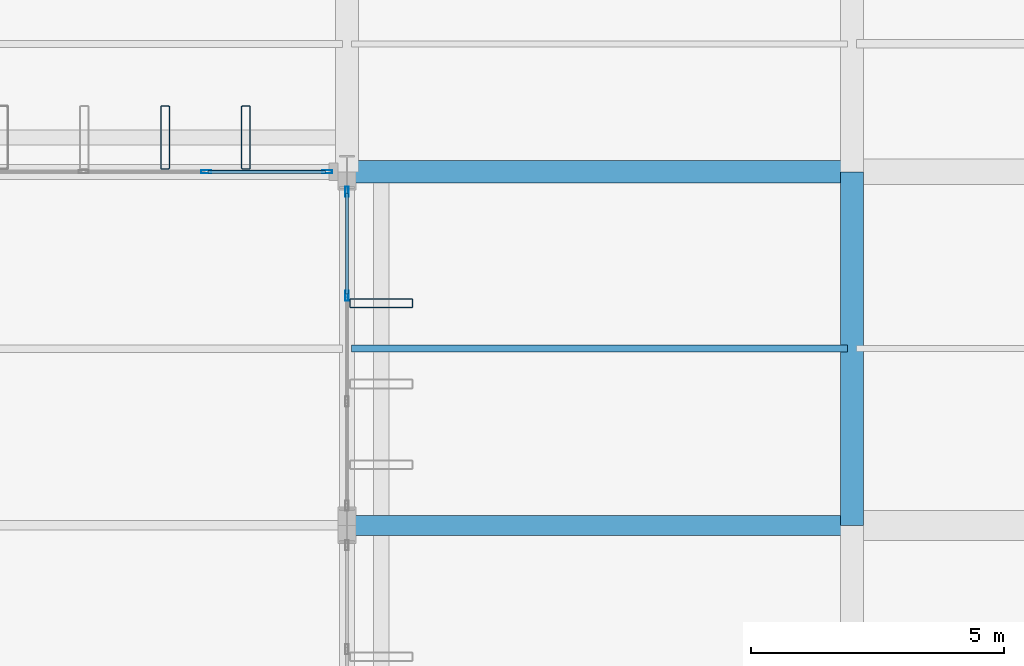
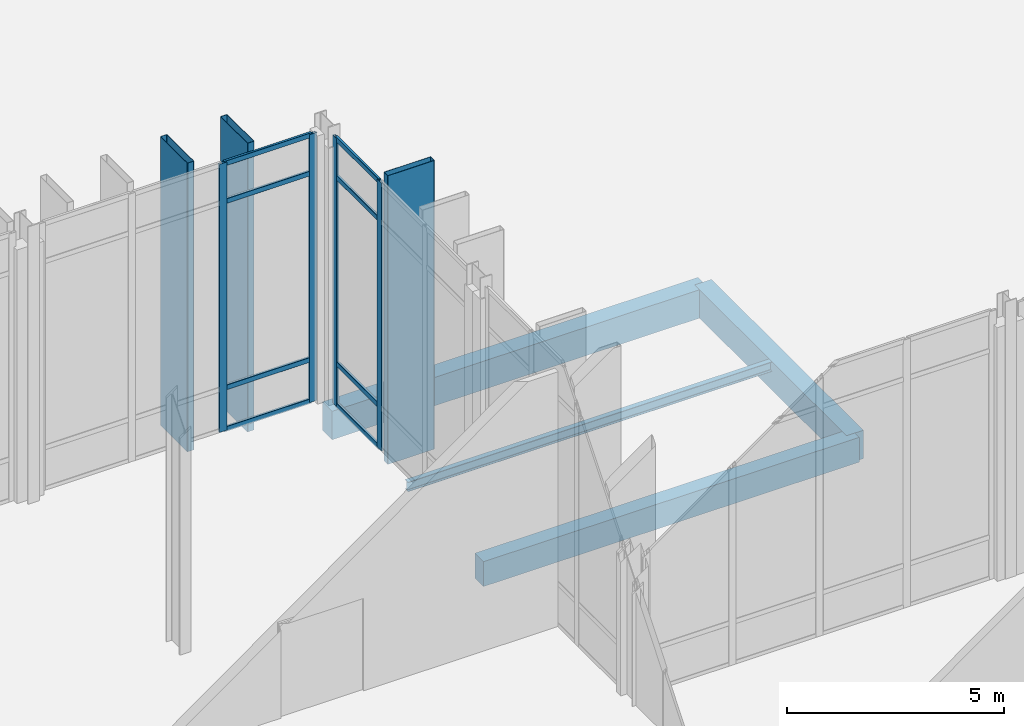
# One storey, part 104 of 176: 15 members, 4 beams, 2 elements without a shape of their own.
"""IFC4 building model written with IfcOpenShell, lengths in metres."""

from ifc_helpers import new_model, si_unit, direction, frame, origin, origin_2d, place, context, subcontext, project, spatial, rectangle, hollow_rectangle, i_section, extrude, material, layer, layer_set, material_profile, profile_set, type_object, element, aggregate, save


model = new_model("IFC4")

# Units and contexts
model_context = context("Model", 3, precision=1e-05, world=origin(), true_north=direction((0.0, 1.0)))
body_context = subcontext(model_context, "Body", "Model", "MODEL_VIEW")
ifc_project = project(units=[si_unit("LENGTHUNIT", "METRE"), si_unit("AREAUNIT", "SQUARE_METRE"), si_unit("VOLUMEUNIT", "CUBIC_METRE"), si_unit("PLANEANGLEUNIT", "RADIAN"), si_unit("MASSUNIT", "GRAM", prefix="KILO")], contexts=[model_context])

# Site, building, storey
site_placement = place(None, origin())
site = spatial("IfcSite", under=ifc_project, at=site_placement, CompositionType="ELEMENT")
building_placement = place(site_placement, origin())
building = spatial("IfcBuilding", under=site, at=building_placement, Name="Vekula Escarpment Museum", CompositionType="ELEMENT")
storey_placement = place(building_placement, origin())
storey = spatial("IfcBuildingStorey", under=building, at=storey_placement, Name="L01", CompositionType="ELEMENT", Elevation=0.0)

# Beams
ifc_material_1 = material(Name="Steel S355", Category="steel")
ifc_material_profile_1 = material_profile(ifc_material_1, i_section(OverallWidth=0.135009765625, OverallDepth=0.27001953125, WebThickness=0.006591796875, FlangeThickness=0.01025390625, FilletRadius=0.014892578125, at=origin_2d()), Name="IPE 270")
ifc_profile_set_1 = profile_set([ifc_material_profile_1], Name="Steel S355")
beam_type_1 = type_object("IfcBeamType", Name="BM-JST-IPE270", PredefinedType="JOIST", material=ifc_profile_set_1)
beam_1_placement = place(storey_placement, frame((126.090087890625, 86.89990234375, -0.43505859375), z_axis=(1.0, 0.0, 0.0), x_axis=(0.0, 1.0, 0.0)))
element("IfcBeam", 1, at=beam_1_placement, inside=storey, type_object=beam_type_1, Name="Secondary Joist L01 0432", PredefinedType="JOIST", context=body_context, shape_type="SweptSolid", body=[
    extrude(i_section(OverallWidth=0.135009765625, OverallDepth=0.27001953125, WebThickness=0.006591796875, FlangeThickness=0.01025390625, FilletRadius=0.014892578125, at=origin_2d()), origin(), (0.0, 0.0, 1.0), 9.81982421875),
])
ifc_material_2 = material(Name="Concrete C35/45", Category="concrete")
ifc_material_profile_2 = material_profile(ifc_material_2, rectangle(XDim=0.449951171875, YDim=0.800048828125, at=origin_2d()), Name="RC 450x800")
ifc_profile_set_2 = profile_set([ifc_material_profile_2], Name="Concrete C35/45")
beam_type_2 = type_object("IfcBeamType", Name="BM-PLINTH-RC", PredefinedType="BEAM", material=ifc_profile_set_2)
beam_2_placement = place(storey_placement, frame((126.0, 90.39990234375, -0.699951171875), z_axis=(1.0, 0.0, 0.0), x_axis=(0.0, 1.0, 0.0)))
element("IfcBeam", 2, at=beam_2_placement, inside=storey, type_object=beam_type_2, Name="Beam X L01 0264", PredefinedType="BEAM", context=body_context, shape_type="SweptSolid", body=[
    extrude(rectangle(XDim=0.449951171875, YDim=0.800048828125, at=origin_2d()), origin(), (0.0, 0.0, 1.0), 10.0),
])
beam_3_placement = place(storey_placement, frame((136.0, 83.39990234375, -0.699951171875), z_axis=(0.0, 1.0, 0.0), x_axis=(-1.0, 0.0, 0.0)))
element("IfcBeam", 3, at=beam_3_placement, inside=storey, type_object=beam_type_2, Name="Beam Y L01 0679", PredefinedType="BEAM", context=body_context, shape_type="SweptSolid", body=[
    extrude(rectangle(XDim=0.449951171875, YDim=0.800048828125, at=origin_2d()), origin(), (0.0, 0.0, 1.0), 7.0),
])
ifc_material_3 = material(Name="Concrete C35/45", Category="concrete")
ifc_material_profile_3 = material_profile(ifc_material_3, rectangle(XDim=0.39990234375, YDim=0.699951171875, at=origin_2d()), Name="RC 400x700")
ifc_profile_set_3 = profile_set([ifc_material_profile_3], Name="Concrete C35/45")
beam_type_3 = type_object("IfcBeamType", Name="BM-PLINTH-RC2", PredefinedType="BEAM", material=ifc_profile_set_3)
beam_4_placement = place(storey_placement, frame((126.0, 83.39990234375, -0.64990234375), z_axis=(1.0, 0.0, 0.0), x_axis=(0.0, 1.0, 0.0)))
element("IfcBeam", 4, at=beam_4_placement, inside=storey, type_object=beam_type_3, Name="Beam X L01 0245", PredefinedType="BEAM", context=body_context, shape_type="SweptSolid", body=[
    extrude(rectangle(XDim=0.39990234375, YDim=0.699951171875, at=origin_2d()), origin(), (0.0, 0.0, 1.0), 10.0),
])

# Curtain wall, members
ifc_material_4 = material(Name="Aluminium thermally broken framing", Category="aluminium")
ifc_layer_1 = layer(ifc_material_4, 0.199951171875)
ifc_layer_set_1 = layer_set([ifc_layer_1], Name="Aluminium thermally broken framing")
curtain_wall_type_1 = type_object("IfcCurtainWallType", Name="CW-SYS-04", PredefinedType="NOTDEFINED", material=ifc_layer_set_1)
curtain_wall_1_placement = place(storey_placement, origin())
curtain_wall_1 = element("IfcCurtainWall", 5, at=curtain_wall_1_placement, inside=storey, type_object=curtain_wall_type_1, Name="Curtain Wall CW-L01-024", PredefinedType="NOTDEFINED")
ifc_material_5 = material(Name="Aluminium anodized mullion", Category="aluminium")
ifc_material_profile_4 = material_profile(ifc_material_5, hollow_rectangle(XDim=0.06494140625, YDim=0.199951171875, WallThickness=0.00390625, InnerFilletRadius=0.00390625, OuterFilletRadius=0.008056640625, at=origin_2d()), Name="ALU 200x65x4")
ifc_profile_set_4 = profile_set([ifc_material_profile_4], Name="Aluminium anodized mullion")
member_type_1 = type_object("IfcMemberType", Name="CW-MUL-200", PredefinedType="MULLION", material=ifc_profile_set_4)
member_1_placement = place(storey_placement, frame((126.0, 87.94677734375, 0.0), z_axis=(0.0, 0.0, 1.0), x_axis=(-1.0, 0.0, 0.0)))
member_1 = element("IfcMember", 6, at=member_1_placement, type_object=member_type_1, Name="CW-04 mullion 3", PredefinedType="MULLION", context=body_context, shape_type="SweptSolid", body=[
    extrude(hollow_rectangle(XDim=0.06494140625, YDim=0.199951171875, WallThickness=0.00390625, InnerFilletRadius=0.00390625, OuterFilletRadius=0.008056640625, at=origin_2d()), origin(), (0.0, 0.0, 1.0), 7.5400390625),
])
member_2_placement = place(storey_placement, frame((126.0, 90.007568359375, 0.0), z_axis=(0.0, 0.0, 1.0), x_axis=(-1.0, 0.0, 0.0)))
member_2 = element("IfcMember", 7, at=member_2_placement, type_object=member_type_1, Name="CW-04 mullion 4", PredefinedType="MULLION", context=body_context, shape_type="SweptSolid", body=[
    extrude(hollow_rectangle(XDim=0.06494140625, YDim=0.199951171875, WallThickness=0.00390625, InnerFilletRadius=0.00390625, OuterFilletRadius=0.008056640625, at=origin_2d()), origin(), (0.0, 0.0, 1.0), 7.5400390625),
])

ifc_material_6 = material(Name="Aluminium thermally broken framing", Category="aluminium")
ifc_layer_2 = layer(ifc_material_6, 0.159912109375)
ifc_layer_set_2 = layer_set([ifc_layer_2], Name="Aluminium thermally broken framing")
curtain_wall_type_2 = type_object("IfcCurtainWallType", Name="CW-SYS-05", PredefinedType="NOTDEFINED", material=ifc_layer_set_2)
curtain_wall_2_placement = place(storey_placement, origin())
curtain_wall_2 = element("IfcCurtainWall", 8, at=curtain_wall_2_placement, inside=storey, type_object=curtain_wall_type_2, Name="Curtain Wall CW-L01-025", PredefinedType="NOTDEFINED")
member_3_placement = place(storey_placement, frame((125.607421875, 90.39990234375, 0.0), z_axis=(0.0, 0.0, 1.0), x_axis=(0.0, -1.0, 0.0)))
member_3 = element("IfcMember", 9, at=member_3_placement, type_object=member_type_1, Name="CW-05 mullion 1", PredefinedType="MULLION", context=body_context, shape_type="SweptSolid", body=[
    extrude(hollow_rectangle(XDim=0.06494140625, YDim=0.199951171875, WallThickness=0.00390625, InnerFilletRadius=0.00390625, OuterFilletRadius=0.008056640625, at=origin_2d()), origin(), (0.0, 0.0, 1.0), 7.5400390625),
])
member_4_placement = place(storey_placement, frame((123.21337890625, 90.39990234375, 0.0), z_axis=(0.0, 0.0, 1.0), x_axis=(0.0, -1.0, 0.0)))
member_4 = element("IfcMember", 10, at=member_4_placement, type_object=member_type_1, Name="CW-05 mullion 2", PredefinedType="MULLION", context=body_context, shape_type="SweptSolid", body=[
    extrude(hollow_rectangle(XDim=0.06494140625, YDim=0.199951171875, WallThickness=0.00390625, InnerFilletRadius=0.00390625, OuterFilletRadius=0.008056640625, at=origin_2d()), origin(), (0.0, 0.0, 1.0), 7.5400390625),
])

# Member
ifc_material_7 = material(Name="Aluminium anodized transom", Category="aluminium")
ifc_material_profile_5 = material_profile(ifc_material_7, hollow_rectangle(XDim=0.06494140625, YDim=0.139892578125, WallThickness=0.00390625, InnerFilletRadius=0.00390625, OuterFilletRadius=0.008056640625, at=origin_2d()), Name="ALU 140x65x4")
ifc_profile_set_5 = profile_set([ifc_material_profile_5], Name="Aluminium anodized transom")
member_type_2 = type_object("IfcMemberType", Name="CW-TRN-140", PredefinedType="USERDEFINED", material=ifc_profile_set_5)
member_5_placement = place(storey_placement, frame((126.0, 87.979248046875, 0.032470703125), z_axis=(0.0, 1.0, 0.0), x_axis=(-1.0, 0.0, 0.0)))
member_5 = element("IfcMember", 11, at=member_5_placement, type_object=member_type_2, Name="CW-04 transom 3.1", ObjectType="TRANSOM", PredefinedType="USERDEFINED", context=body_context, shape_type="SweptSolid", body=[
    extrude(hollow_rectangle(XDim=0.06494140625, YDim=0.139892578125, WallThickness=0.00390625, InnerFilletRadius=0.00390625, OuterFilletRadius=0.008056640625, at=origin_2d()), origin(), (0.0, 0.0, 1.0), 1.995849609375),
])

member_6_placement = place(storey_placement, frame((126.0, 87.979248046875, 1.199951171875), z_axis=(0.0, 1.0, 0.0), x_axis=(-1.0, 0.0, 0.0)))
member_6 = element("IfcMember", 12, at=member_6_placement, type_object=member_type_2, Name="CW-04 transom 3.2", ObjectType="TRANSOM", PredefinedType="USERDEFINED", context=body_context, shape_type="SweptSolid", body=[
    extrude(hollow_rectangle(XDim=0.06494140625, YDim=0.139892578125, WallThickness=0.00390625, InnerFilletRadius=0.00390625, OuterFilletRadius=0.008056640625, at=origin_2d()), origin(), (0.0, 0.0, 1.0), 1.995849609375),
])

member_7_placement = place(storey_placement, frame((126.0, 87.979248046875, 6.43994140625), z_axis=(0.0, 1.0, 0.0), x_axis=(-1.0, 0.0, 0.0)))
member_7 = element("IfcMember", 13, at=member_7_placement, type_object=member_type_2, Name="CW-04 transom 3.3", ObjectType="TRANSOM", PredefinedType="USERDEFINED", context=body_context, shape_type="SweptSolid", body=[
    extrude(hollow_rectangle(XDim=0.06494140625, YDim=0.139892578125, WallThickness=0.00390625, InnerFilletRadius=0.00390625, OuterFilletRadius=0.008056640625, at=origin_2d()), origin(), (0.0, 0.0, 1.0), 1.995849609375),
])

member_8_placement = place(storey_placement, frame((126.0, 87.979248046875, 7.507568359375), z_axis=(0.0, 1.0, 0.0), x_axis=(-1.0, 0.0, 0.0)))
member_8 = element("IfcMember", 14, at=member_8_placement, type_object=member_type_2, Name="CW-04 transom 3.4", ObjectType="TRANSOM", PredefinedType="USERDEFINED", context=body_context, shape_type="SweptSolid", body=[
    extrude(hollow_rectangle(XDim=0.06494140625, YDim=0.139892578125, WallThickness=0.00390625, InnerFilletRadius=0.00390625, OuterFilletRadius=0.008056640625, at=origin_2d()), origin(), (0.0, 0.0, 1.0), 1.995849609375),
])

aggregate(curtain_wall_1, [member_1, member_2, member_5, member_6, member_7, member_8])

member_9_placement = place(storey_placement, frame((125.574951171875, 90.39990234375, 0.032470703125), z_axis=(-1.0, 0.0, 0.0), x_axis=(0.0, -1.0, 0.0)))
member_9 = element("IfcMember", 15, at=member_9_placement, type_object=member_type_2, Name="CW-05 transom 1.1", ObjectType="TRANSOM", PredefinedType="USERDEFINED", context=body_context, shape_type="SweptSolid", body=[
    extrude(hollow_rectangle(XDim=0.06494140625, YDim=0.139892578125, WallThickness=0.00390625, InnerFilletRadius=0.00390625, OuterFilletRadius=0.008056640625, at=origin_2d()), origin(), (0.0, 0.0, 1.0), 2.3291015625),
])

member_10_placement = place(storey_placement, frame((125.574951171875, 90.39990234375, 1.199951171875), z_axis=(-1.0, 0.0, 0.0), x_axis=(0.0, -1.0, 0.0)))
member_10 = element("IfcMember", 16, at=member_10_placement, type_object=member_type_2, Name="CW-05 transom 1.2", ObjectType="TRANSOM", PredefinedType="USERDEFINED", context=body_context, shape_type="SweptSolid", body=[
    extrude(hollow_rectangle(XDim=0.06494140625, YDim=0.139892578125, WallThickness=0.00390625, InnerFilletRadius=0.00390625, OuterFilletRadius=0.008056640625, at=origin_2d()), origin(), (0.0, 0.0, 1.0), 2.3291015625),
])

member_11_placement = place(storey_placement, frame((125.574951171875, 90.39990234375, 6.43994140625), z_axis=(-1.0, 0.0, 0.0), x_axis=(0.0, -1.0, 0.0)))
member_11 = element("IfcMember", 17, at=member_11_placement, type_object=member_type_2, Name="CW-05 transom 1.3", ObjectType="TRANSOM", PredefinedType="USERDEFINED", context=body_context, shape_type="SweptSolid", body=[
    extrude(hollow_rectangle(XDim=0.06494140625, YDim=0.139892578125, WallThickness=0.00390625, InnerFilletRadius=0.00390625, OuterFilletRadius=0.008056640625, at=origin_2d()), origin(), (0.0, 0.0, 1.0), 2.3291015625),
])

member_12_placement = place(storey_placement, frame((125.574951171875, 90.39990234375, 7.507568359375), z_axis=(-1.0, 0.0, 0.0), x_axis=(0.0, -1.0, 0.0)))
member_12 = element("IfcMember", 18, at=member_12_placement, type_object=member_type_2, Name="CW-05 transom 1.4", ObjectType="TRANSOM", PredefinedType="USERDEFINED", context=body_context, shape_type="SweptSolid", body=[
    extrude(hollow_rectangle(XDim=0.06494140625, YDim=0.139892578125, WallThickness=0.00390625, InnerFilletRadius=0.00390625, OuterFilletRadius=0.008056640625, at=origin_2d()), origin(), (0.0, 0.0, 1.0), 2.3291015625),
])

aggregate(curtain_wall_2, [member_3, member_4, member_9, member_10, member_11, member_12])

# Members
ifc_material_8 = material(Name="Steel S355 weathered bronze solar fin", Category="steel")
ifc_material_profile_6 = material_profile(ifc_material_8, hollow_rectangle(XDim=0.179931640625, YDim=1.25, WallThickness=0.010009765625, InnerFilletRadius=0.010009765625, OuterFilletRadius=0.02001953125, at=origin_2d()), Name="RHS 1250x180x10")
ifc_profile_set_6 = profile_set([ifc_material_profile_6], Name="Steel S355 weathered bronze solar fin")
member_type_3 = type_object("IfcMemberType", Name="MB-SOLAR-FIN", PredefinedType="USERDEFINED", material=ifc_profile_set_6)
for number, where, z_axis, x_axis, name in (
    (19, (122.39990234375, 91.080078125, -0.320068359375), (0.0, 0.0, 1.0), (1.0, 0.0, 0.0), "Great Hall Vertical Solar Fin 0271"),
    (20, (124.0, 91.080078125, -0.320068359375), (0.0, 0.0, 1.0), (1.0, 0.0, 0.0), "Great Hall Vertical Solar Fin 0276"),
    (21, (126.679931640625, 87.800048828125, -0.320068359375), (0.0, 0.0, 1.0), (0.0, 1.0, 0.0), "Great Hall Vertical Solar Fin 0411"),
):
    element("IfcMember", number, at=place(storey_placement, frame(where, z_axis=z_axis, x_axis=x_axis)), inside=storey, type_object=member_type_3, Name=name, ObjectType="SOLAR FIN", PredefinedType="USERDEFINED", context=body_context, shape_type="SweptSolid", body=[
        extrude(hollow_rectangle(XDim=0.179931640625, YDim=1.25, WallThickness=0.010009765625, InnerFilletRadius=0.010009765625, OuterFilletRadius=0.02001953125, at=origin_2d()), origin(), (0.0, 0.0, 1.0), 8.1201171875),
    ])

save(model, "model.ifc")
